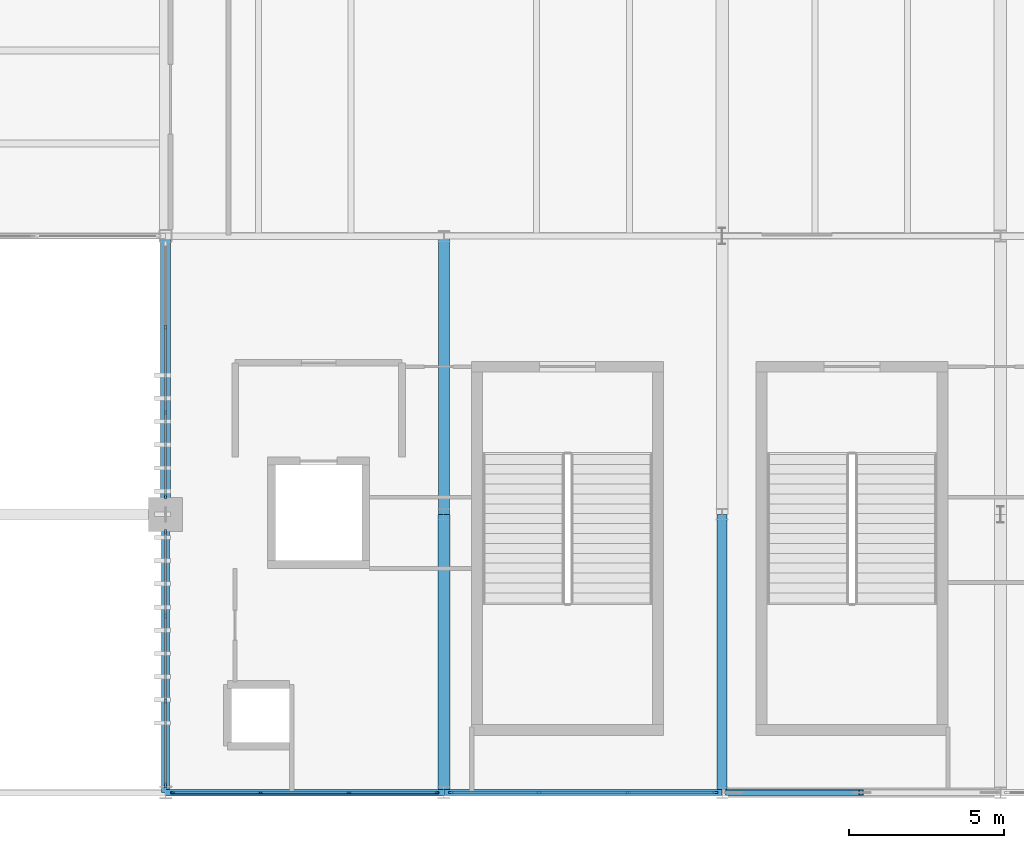
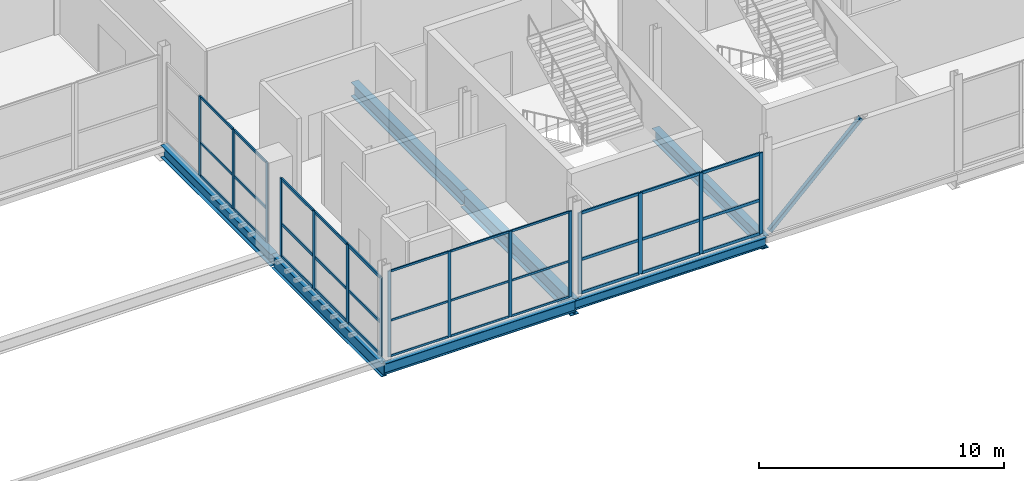
# One storey, part 126 of 224: 49 members, 7 beams, 4 elements without a shape of their own.
"""IFC4 building model written with IfcOpenShell, lengths in metres."""

from ifc_helpers import new_model, si_unit, direction, frame, origin, origin_2d, place, context, subcontext, project, spatial, rectangle, hollow_rectangle, i_section, extrude, material, layer, layer_set, material_profile, profile_set, type_object, element, aggregate, save


model = new_model("IFC4")

# Units and contexts
model_context = context("Model", 3, precision=1e-05, world=origin(), true_north=direction((0.0, 1.0)))
body_context = subcontext(model_context, "Body", "Model", "MODEL_VIEW")
ifc_project = project(units=[si_unit("LENGTHUNIT", "METRE"), si_unit("AREAUNIT", "SQUARE_METRE"), si_unit("VOLUMEUNIT", "CUBIC_METRE"), si_unit("PLANEANGLEUNIT", "RADIAN"), si_unit("MASSUNIT", "GRAM", prefix="KILO")], contexts=[model_context])

# Site, building, storey
site_placement = place(None, origin())
site = spatial("IfcSite", under=ifc_project, at=site_placement, CompositionType="ELEMENT")
building_placement = place(site_placement, origin())
building = spatial("IfcBuilding", under=site, at=building_placement, Name="Qamarlyn Nura Convention Centre", CompositionType="ELEMENT")
storey_placement = place(building_placement, frame((0.0, 0.0, 10.800048828125)))
storey = spatial("IfcBuildingStorey", under=building, at=storey_placement, Name="L02", CompositionType="ELEMENT", Elevation=10.800048828125)

# Beams
ifc_material_1 = material(Name="Steel ASTM A992", Category="steel")
ifc_material_profile_1 = material_profile(ifc_material_1, i_section(OverallWidth=0.323974609375, OverallDepth=0.611083984375, WebThickness=0.0126953125, FlangeThickness=0.01904296875, FilletRadius=0.01611328125, at=origin_2d()), Name="W610X155")
ifc_profile_set_1 = profile_set([ifc_material_profile_1], Name="Steel ASTM A992")
beam_type_1 = type_object("IfcBeamType", Name="BM-GIRD-610", PredefinedType="BEAM", material=ifc_profile_set_1)
for number, where, z_axis, x_axis, name in (
    (1, (153.0, 9.0, -0.525634765625), (0.0, 1.0, 0.0), (-1.0, 0.0, 0.0), "L02 girder 13 B-C"),
    (2, (171.0, 0.0, -0.525634765625), (0.0, 1.0, 0.0), (-1.0, 0.0, 0.0), "L02 girder 15 A-B"),
):
    element("IfcBeam", number, at=place(storey_placement, frame(where, z_axis=z_axis, x_axis=x_axis)), inside=storey, type_object=beam_type_1, Name=name, PredefinedType="BEAM", context=body_context, shape_type="SweptSolid", body=[
        extrude(i_section(OverallWidth=0.323974609375, OverallDepth=0.611083984375, WebThickness=0.0126953125, FlangeThickness=0.01904296875, FilletRadius=0.01611328125, at=origin_2d()), origin(), (0.0, 0.0, 1.0), 9.0),
    ])
ifc_material_profile_2 = material_profile(ifc_material_1, i_section(OverallWidth=0.35498046875, OverallDepth=0.695068359375, WebThickness=0.015380859375, FlangeThickness=0.02490234375, FilletRadius=0.01806640625, at=origin_2d()), Name="W690X217")
ifc_profile_set_2 = profile_set([ifc_material_profile_2], Name="Steel ASTM A992")
beam_type_2 = type_object("IfcBeamType", Name="BM-GIRD-690A", PredefinedType="BEAM", material=ifc_profile_set_2)
beam_1_placement = place(storey_placement, frame((162.0, 9.0, -0.567626953125), z_axis=(0.0, 1.0, 0.0), x_axis=(-1.0, 0.0, 0.0)))
element("IfcBeam", 3, at=beam_1_placement, inside=storey, type_object=beam_type_2, Name="L02 girder 14 B-C", PredefinedType="BEAM", context=body_context, shape_type="SweptSolid", body=[
    extrude(i_section(OverallWidth=0.35498046875, OverallDepth=0.695068359375, WebThickness=0.015380859375, FlangeThickness=0.02490234375, FilletRadius=0.01806640625, at=origin_2d()), origin(), (0.0, 0.0, 1.0), 9.0),
])
ifc_material_profile_3 = material_profile(ifc_material_1, i_section(OverallWidth=0.25390625, OverallDepth=0.68408203125, WebThickness=0.012451171875, FlangeThickness=0.01904296875, FilletRadius=0.01806640625, at=origin_2d()), Name="W690X140")
ifc_profile_set_3 = profile_set([ifc_material_profile_3], Name="Steel ASTM A992")
beam_type_3 = type_object("IfcBeamType", Name="BM-GIRD-690B", PredefinedType="BEAM", material=ifc_profile_set_3)
beam_2_placement = place(storey_placement, frame((153.0, 0.0, -0.56201171875), z_axis=(0.0, 1.0, 0.0), x_axis=(-1.0, 0.0, 0.0)))
element("IfcBeam", 4, at=beam_2_placement, inside=storey, type_object=beam_type_3, Name="L02 girder 13 A-B", PredefinedType="BEAM", context=body_context, shape_type="SweptSolid", body=[
    extrude(i_section(OverallWidth=0.25390625, OverallDepth=0.68408203125, WebThickness=0.012451171875, FlangeThickness=0.01904296875, FilletRadius=0.01806640625, at=origin_2d()), origin(), (0.0, 0.0, 1.0), 9.0),
])
ifc_material_profile_4 = material_profile(ifc_material_1, i_section(OverallWidth=0.381103515625, OverallDepth=0.77294921875, WebThickness=0.0166015625, FlangeThickness=0.027587890625, FilletRadius=0.02001953125, at=origin_2d()), Name="W760X257")
ifc_profile_set_4 = profile_set([ifc_material_profile_4], Name="Steel ASTM A992")
beam_type_4 = type_object("IfcBeamType", Name="BM-GIRD-760", PredefinedType="BEAM", material=ifc_profile_set_4)
beam_3_placement = place(storey_placement, frame((162.0, 0.0, -0.6064453125), z_axis=(0.0, 1.0, 0.0), x_axis=(-1.0, 0.0, 0.0)))
element("IfcBeam", 5, at=beam_3_placement, inside=storey, type_object=beam_type_4, Name="L02 girder 14 A-B", PredefinedType="BEAM", context=body_context, shape_type="SweptSolid", body=[
    extrude(i_section(OverallWidth=0.381103515625, OverallDepth=0.77294921875, WebThickness=0.0166015625, FlangeThickness=0.027587890625, FilletRadius=0.02001953125, at=origin_2d()), origin(), (0.0, 0.0, 1.0), 9.0),
])
ifc_material_profile_5 = material_profile(ifc_material_1, i_section(OverallWidth=0.193115234375, OverallDepth=0.466064453125, WebThickness=0.011474609375, FlangeThickness=0.01904296875, FilletRadius=0.012939453125, at=origin_2d()), Name="W460X97")
ifc_profile_set_5 = profile_set([ifc_material_profile_5], Name="Steel ASTM A992")
beam_type_5 = type_object("IfcBeamType", Name="BM-SPAN-460", PredefinedType="SPANDREL", material=ifc_profile_set_5)
beam_4_placement = place(storey_placement, frame((162.0, 0.0, -0.453125), z_axis=(1.0, 0.0, 0.0), x_axis=(0.0, 1.0, 0.0)))
element("IfcBeam", 6, at=beam_4_placement, inside=storey, type_object=beam_type_5, Name="L02 girder A 14-15", PredefinedType="SPANDREL", context=body_context, shape_type="SweptSolid", body=[
    extrude(i_section(OverallWidth=0.193115234375, OverallDepth=0.466064453125, WebThickness=0.011474609375, FlangeThickness=0.01904296875, FilletRadius=0.012939453125, at=origin_2d()), origin(), (0.0, 0.0, 1.0), 9.0),
])
ifc_material_profile_6 = material_profile(ifc_material_1, i_section(OverallWidth=0.2109375, OverallDepth=0.5390625, WebThickness=0.01171875, FlangeThickness=0.018798828125, FilletRadius=0.013916015625, at=origin_2d()), Name="W530X109")
ifc_profile_set_6 = profile_set([ifc_material_profile_6], Name="Steel ASTM A992")
beam_type_6 = type_object("IfcBeamType", Name="BM-SPAN-530", PredefinedType="SPANDREL", material=ifc_profile_set_6)
beam_5_placement = place(storey_placement, frame((153.0, 0.0, -0.489501953125), z_axis=(1.0, 0.0, 0.0), x_axis=(0.0, 1.0, 0.0)))
element("IfcBeam", 7, at=beam_5_placement, inside=storey, type_object=beam_type_6, Name="L02 girder A 13-14", PredefinedType="SPANDREL", context=body_context, shape_type="SweptSolid", body=[
    extrude(i_section(OverallWidth=0.2109375, OverallDepth=0.5390625, WebThickness=0.01171875, FlangeThickness=0.018798828125, FilletRadius=0.013916015625, at=origin_2d()), origin(), (0.0, 0.0, 1.0), 9.0),
])

# Member
ifc_material_2 = material(Name="Steel ASTM A500 Grade C", Category="steel")
ifc_material_profile_7 = material_profile(ifc_material_2, hollow_rectangle(XDim=0.199951171875, YDim=0.199951171875, WallThickness=0.010009765625, InnerFilletRadius=0.010009765625, OuterFilletRadius=0.02001953125, at=origin_2d()), Name="HSS200X200X10")
ifc_profile_set_7 = profile_set([ifc_material_profile_7], Name="Steel ASTM A500 Grade C")
member_type_1 = type_object("IfcMemberType", Name="CBF-BRC-200", PredefinedType="BRACE", material=ifc_profile_set_7)
member_1_placement = place(storey_placement, frame((171.179931640625, 0.0, 0.0), z_axis=(0.722491981311, 0.0, 0.691379300342), x_axis=(0.0, 1.0, 0.0)))
element("IfcMember", 8, at=member_1_placement, inside=storey, type_object=member_type_1, Name="L02 SCBF chevron brace CBF-E1L", PredefinedType="BRACE", context=body_context, shape_type="SweptSolid", body=[
    extrude(hollow_rectangle(XDim=0.199951171875, YDim=0.199951171875, WallThickness=0.010009765625, InnerFilletRadius=0.010009765625, OuterFilletRadius=0.02001953125, at=origin_2d()), origin(), (0.0, 0.0, 1.0), 5.9794921875),
])

# Curtain wall, members
ifc_material_3 = material(Name="Double-silver low-E insulated glass", Category="glass")
ifc_layer_1 = layer(ifc_material_3, 0.179931640625, Name="CW-UNIT-96")
ifc_layer_set_1 = layer_set([ifc_layer_1], Name="Double-silver low-E insulated glass")
curtain_wall_type_1 = type_object("IfcCurtainWallType", Name="CW-UNIT-96", PredefinedType="NOTDEFINED", material=ifc_layer_set_1)
curtain_wall_1_placement = place(storey_placement, origin())
curtain_wall_1 = element("IfcCurtainWall", 9, at=curtain_wall_1_placement, inside=storey, type_object=curtain_wall_type_1, Name="L02 unitised curtain wall STH-1-1", PredefinedType="NOTDEFINED")
ifc_material_4 = material(Name="Champagne-anodised marine aluminium", Category="aluminium")
ifc_material_profile_8 = material_profile(ifc_material_4, rectangle(XDim=0.06005859375, YDim=0.139892578125, at=origin_2d()), Name="ALU MULLION 60x140")
ifc_profile_set_8 = profile_set([ifc_material_profile_8], Name="Champagne-anodised marine aluminium")
member_type_2 = type_object("IfcMemberType", Name="CWM-140", PredefinedType="MULLION", material=ifc_profile_set_8)
member_2_placement = place(storey_placement, frame((161.7705078125, 0.0, 0.0), z_axis=(0.0, 0.0, 1.0), x_axis=(0.0, -1.0, 0.0)))
member_2 = element("IfcMember", 10, at=member_2_placement, type_object=member_type_2, Name="CW96 mullion 1", PredefinedType="MULLION", context=body_context, shape_type="SweptSolid", body=[
    extrude(rectangle(XDim=0.06005859375, YDim=0.139892578125, at=origin_2d()), origin(), (0.0, 0.0, 1.0), 4.284912109375),
])
member_3_placement = place(storey_placement, frame((158.93505859375, 0.0, 0.0), z_axis=(0.0, 0.0, 1.0), x_axis=(0.0, -1.0, 0.0)))
member_3 = element("IfcMember", 11, at=member_3_placement, type_object=member_type_2, Name="CW96 mullion 2", PredefinedType="MULLION", context=body_context, shape_type="SweptSolid", body=[
    extrude(rectangle(XDim=0.06005859375, YDim=0.139892578125, at=origin_2d()), origin(), (0.0, 0.0, 1.0), 4.284912109375),
])
member_4_placement = place(storey_placement, frame((156.06982421875, 0.0, 0.0), z_axis=(0.0, 0.0, 1.0), x_axis=(0.0, -1.0, 0.0)))
member_4 = element("IfcMember", 12, at=member_4_placement, type_object=member_type_2, Name="CW96 mullion 3", PredefinedType="MULLION", context=body_context, shape_type="SweptSolid", body=[
    extrude(rectangle(XDim=0.06005859375, YDim=0.139892578125, at=origin_2d()), origin(), (0.0, 0.0, 1.0), 4.284912109375),
])
member_5_placement = place(storey_placement, frame((153.234619140625, 0.0, 0.0), z_axis=(0.0, 0.0, 1.0), x_axis=(0.0, -1.0, 0.0)))
member_5 = element("IfcMember", 13, at=member_5_placement, type_object=member_type_2, Name="CW96 mullion 4", PredefinedType="MULLION", context=body_context, shape_type="SweptSolid", body=[
    extrude(rectangle(XDim=0.06005859375, YDim=0.139892578125, at=origin_2d()), origin(), (0.0, 0.0, 1.0), 4.284912109375),
])

ifc_layer_2 = layer(ifc_material_3, 0.179931640625, Name="CW-UNIT-101")
ifc_layer_set_2 = layer_set([ifc_layer_2], Name="Double-silver low-E insulated glass")
curtain_wall_type_2 = type_object("IfcCurtainWallType", Name="CW-UNIT-101", PredefinedType="NOTDEFINED", material=ifc_layer_set_2)
curtain_wall_2_placement = place(storey_placement, origin())
curtain_wall_2 = element("IfcCurtainWall", 14, at=curtain_wall_2_placement, inside=storey, type_object=curtain_wall_type_2, Name="L02 unitised curtain wall FCW-9-1", PredefinedType="NOTDEFINED")
ifc_material_profile_9 = material_profile(ifc_material_4, rectangle(XDim=0.06494140625, YDim=0.159912109375, at=origin_2d()), Name="ALU MULLION 65x160")
ifc_profile_set_9 = profile_set([ifc_material_profile_9], Name="Champagne-anodised marine aluminium")
member_type_3 = type_object("IfcMemberType", Name="CWM-160", PredefinedType="MULLION", material=ifc_profile_set_9)
member_6_placement = place(storey_placement, frame((153.0, 9.58251953125, 0.0), z_axis=(0.0, 0.0, 1.0), x_axis=(-1.0, 0.0, 0.0)))
member_6 = element("IfcMember", 15, at=member_6_placement, type_object=member_type_3, Name="CW101 mullion 1", PredefinedType="MULLION", context=body_context, shape_type="SweptSolid", body=[
    extrude(rectangle(XDim=0.06494140625, YDim=0.159912109375, at=origin_2d()), origin(), (0.0, 0.0, 1.0), 3.973876953125),
])
member_7_placement = place(storey_placement, frame((153.0, 12.300048828125, 0.0), z_axis=(0.0, 0.0, 1.0), x_axis=(-1.0, 0.0, 0.0)))
member_7 = element("IfcMember", 16, at=member_7_placement, type_object=member_type_3, Name="CW101 mullion 2", PredefinedType="MULLION", context=body_context, shape_type="SweptSolid", body=[
    extrude(rectangle(XDim=0.06494140625, YDim=0.159912109375, at=origin_2d()), origin(), (0.0, 0.0, 1.0), 3.973876953125),
])
member_8_placement = place(storey_placement, frame((153.0, 15.050048828125, 0.0), z_axis=(0.0, 0.0, 1.0), x_axis=(-1.0, 0.0, 0.0)))
member_8 = element("IfcMember", 17, at=member_8_placement, type_object=member_type_3, Name="CW101 mullion 3", PredefinedType="MULLION", context=body_context, shape_type="SweptSolid", body=[
    extrude(rectangle(XDim=0.06494140625, YDim=0.159912109375, at=origin_2d()), origin(), (0.0, 0.0, 1.0), 3.973876953125),
])

ifc_layer_3 = layer(ifc_material_3, 0.179931640625, Name="CW-UNIT-97")
ifc_layer_set_3 = layer_set([ifc_layer_3], Name="Double-silver low-E insulated glass")
curtain_wall_type_3 = type_object("IfcCurtainWallType", Name="CW-UNIT-97", PredefinedType="NOTDEFINED", material=ifc_layer_set_3)
curtain_wall_3_placement = place(storey_placement, origin())
curtain_wall_3 = element("IfcCurtainWall", 18, at=curtain_wall_3_placement, inside=storey, type_object=curtain_wall_type_3, Name="L02 unitised curtain wall STH-2-1", PredefinedType="NOTDEFINED")
ifc_material_profile_10 = material_profile(ifc_material_4, rectangle(XDim=0.070068359375, YDim=0.179931640625, at=origin_2d()), Name="ALU MULLION 70x180")
ifc_profile_set_10 = profile_set([ifc_material_profile_10], Name="Champagne-anodised marine aluminium")
member_type_4 = type_object("IfcMemberType", Name="CWM-180", PredefinedType="MULLION", material=ifc_profile_set_10)
member_9_placement = place(storey_placement, frame((170.778076171875, 0.0, 0.0), z_axis=(0.0, 0.0, 1.0), x_axis=(0.0, -1.0, 0.0)))
member_9 = element("IfcMember", 19, at=member_9_placement, type_object=member_type_4, Name="CW97 mullion 1", PredefinedType="MULLION", context=body_context, shape_type="SweptSolid", body=[
    extrude(rectangle(XDim=0.070068359375, YDim=0.179931640625, at=origin_2d()), origin(), (0.0, 0.0, 1.0), 4.0458984375),
])
member_10_placement = place(storey_placement, frame((167.94189453125, 0.0, 0.0), z_axis=(0.0, 0.0, 1.0), x_axis=(0.0, -1.0, 0.0)))
member_10 = element("IfcMember", 20, at=member_10_placement, type_object=member_type_4, Name="CW97 mullion 2", PredefinedType="MULLION", context=body_context, shape_type="SweptSolid", body=[
    extrude(rectangle(XDim=0.070068359375, YDim=0.179931640625, at=origin_2d()), origin(), (0.0, 0.0, 1.0), 4.0458984375),
])
member_11_placement = place(storey_placement, frame((165.070556640625, 0.0, 0.0), z_axis=(0.0, 0.0, 1.0), x_axis=(0.0, -1.0, 0.0)))
member_11 = element("IfcMember", 21, at=member_11_placement, type_object=member_type_4, Name="CW97 mullion 3", PredefinedType="MULLION", context=body_context, shape_type="SweptSolid", body=[
    extrude(rectangle(XDim=0.070068359375, YDim=0.179931640625, at=origin_2d()), origin(), (0.0, 0.0, 1.0), 4.0458984375),
])
member_12_placement = place(storey_placement, frame((162.234619140625, 0.0, 0.0), z_axis=(0.0, 0.0, 1.0), x_axis=(0.0, -1.0, 0.0)))
member_12 = element("IfcMember", 22, at=member_12_placement, type_object=member_type_4, Name="CW97 mullion 4", PredefinedType="MULLION", context=body_context, shape_type="SweptSolid", body=[
    extrude(rectangle(XDim=0.070068359375, YDim=0.179931640625, at=origin_2d()), origin(), (0.0, 0.0, 1.0), 4.0458984375),
])

ifc_layer_4 = layer(ifc_material_3, 0.179931640625, Name="CW-UNIT-100")
ifc_layer_set_4 = layer_set([ifc_layer_4], Name="Double-silver low-E insulated glass")
curtain_wall_type_4 = type_object("IfcCurtainWallType", Name="CW-UNIT-100", PredefinedType="NOTDEFINED", material=ifc_layer_set_4)
curtain_wall_4_placement = place(storey_placement, origin())
curtain_wall_4 = element("IfcCurtainWall", 23, at=curtain_wall_4_placement, inside=storey, type_object=curtain_wall_type_4, Name="L02 unitised curtain wall FCW-0-1", PredefinedType="NOTDEFINED")
member_13_placement = place(storey_placement, frame((153.0, 0.24755859375, 0.0), z_axis=(0.0, 0.0, 1.0), x_axis=(-1.0, 0.0, 0.0)))
member_13 = element("IfcMember", 24, at=member_13_placement, type_object=member_type_4, Name="CW100 mullion 1", PredefinedType="MULLION", context=body_context, shape_type="SweptSolid", body=[
    extrude(rectangle(XDim=0.070068359375, YDim=0.179931640625, at=origin_2d()), origin(), (0.0, 0.0, 1.0), 3.90087890625),
])
member_14_placement = place(storey_placement, frame((153.0, 2.958251953125, 0.0), z_axis=(0.0, 0.0, 1.0), x_axis=(-1.0, 0.0, 0.0)))
member_14 = element("IfcMember", 25, at=member_14_placement, type_object=member_type_4, Name="CW100 mullion 2", PredefinedType="MULLION", context=body_context, shape_type="SweptSolid", body=[
    extrude(rectangle(XDim=0.070068359375, YDim=0.179931640625, at=origin_2d()), origin(), (0.0, 0.0, 1.0), 3.90087890625),
])
member_15_placement = place(storey_placement, frame((153.0, 5.7041015625, 0.0), z_axis=(0.0, 0.0, 1.0), x_axis=(-1.0, 0.0, 0.0)))
member_15 = element("IfcMember", 26, at=member_15_placement, type_object=member_type_4, Name="CW100 mullion 3", PredefinedType="MULLION", context=body_context, shape_type="SweptSolid", body=[
    extrude(rectangle(XDim=0.070068359375, YDim=0.179931640625, at=origin_2d()), origin(), (0.0, 0.0, 1.0), 3.90087890625),
])
member_16_placement = place(storey_placement, frame((153.0, 8.4150390625, 0.0), z_axis=(0.0, 0.0, 1.0), x_axis=(-1.0, 0.0, 0.0)))
member_16 = element("IfcMember", 27, at=member_16_placement, type_object=member_type_4, Name="CW100 mullion 4", PredefinedType="MULLION", context=body_context, shape_type="SweptSolid", body=[
    extrude(rectangle(XDim=0.070068359375, YDim=0.179931640625, at=origin_2d()), origin(), (0.0, 0.0, 1.0), 3.90087890625),
])

# Member
ifc_material_profile_11 = material_profile(ifc_material_4, rectangle(XDim=0.06005859375, YDim=0.10009765625, at=origin_2d()), Name="ALU TRANSOM 60x100")
ifc_profile_set_11 = profile_set([ifc_material_profile_11], Name="Champagne-anodised marine aluminium")
member_type_5 = type_object("IfcMemberType", Name="CWT-100", PredefinedType="USERDEFINED", material=ifc_profile_set_11)
member_17_placement = place(storey_placement, frame((161.740478515625, 0.0, 0.030029296875), z_axis=(-1.0, 0.0, 0.0), x_axis=(0.0, -1.0, 0.0)))
member_17 = element("IfcMember", 28, at=member_17_placement, type_object=member_type_5, Name="CW96 transom 1.1", ObjectType="TRANSOM", PredefinedType="USERDEFINED", context=body_context, shape_type="SweptSolid", body=[
    extrude(rectangle(XDim=0.06005859375, YDim=0.10009765625, at=origin_2d()), origin(), (0.0, 0.0, 1.0), 2.775390625),
])

member_18_placement = place(storey_placement, frame((161.740478515625, 0.0, 1.800048828125), z_axis=(-1.0, 0.0, 0.0), x_axis=(0.0, -1.0, 0.0)))
member_18 = element("IfcMember", 29, at=member_18_placement, type_object=member_type_5, Name="CW96 transom 1.2", ObjectType="TRANSOM", PredefinedType="USERDEFINED", context=body_context, shape_type="SweptSolid", body=[
    extrude(rectangle(XDim=0.06005859375, YDim=0.10009765625, at=origin_2d()), origin(), (0.0, 0.0, 1.0), 2.775390625),
])

member_19_placement = place(storey_placement, frame((161.740478515625, 0.0, 4.2548828125), z_axis=(-1.0, 0.0, 0.0), x_axis=(0.0, -1.0, 0.0)))
member_19 = element("IfcMember", 30, at=member_19_placement, type_object=member_type_5, Name="CW96 transom 1.3", ObjectType="TRANSOM", PredefinedType="USERDEFINED", context=body_context, shape_type="SweptSolid", body=[
    extrude(rectangle(XDim=0.06005859375, YDim=0.10009765625, at=origin_2d()), origin(), (0.0, 0.0, 1.0), 2.775390625),
])

member_20_placement = place(storey_placement, frame((158.9052734375, 0.0, 0.030029296875), z_axis=(-1.0, 0.0, 0.0), x_axis=(0.0, -1.0, 0.0)))
member_20 = element("IfcMember", 31, at=member_20_placement, type_object=member_type_5, Name="CW96 transom 2.1", ObjectType="TRANSOM", PredefinedType="USERDEFINED", context=body_context, shape_type="SweptSolid", body=[
    extrude(rectangle(XDim=0.06005859375, YDim=0.10009765625, at=origin_2d()), origin(), (0.0, 0.0, 1.0), 2.805419921875),
])

member_21_placement = place(storey_placement, frame((158.9052734375, 0.0, 1.800048828125), z_axis=(-1.0, 0.0, 0.0), x_axis=(0.0, -1.0, 0.0)))
member_21 = element("IfcMember", 32, at=member_21_placement, type_object=member_type_5, Name="CW96 transom 2.2", ObjectType="TRANSOM", PredefinedType="USERDEFINED", context=body_context, shape_type="SweptSolid", body=[
    extrude(rectangle(XDim=0.06005859375, YDim=0.10009765625, at=origin_2d()), origin(), (0.0, 0.0, 1.0), 2.805419921875),
])

member_22_placement = place(storey_placement, frame((158.9052734375, 0.0, 4.2548828125), z_axis=(-1.0, 0.0, 0.0), x_axis=(0.0, -1.0, 0.0)))
member_22 = element("IfcMember", 33, at=member_22_placement, type_object=member_type_5, Name="CW96 transom 2.3", ObjectType="TRANSOM", PredefinedType="USERDEFINED", context=body_context, shape_type="SweptSolid", body=[
    extrude(rectangle(XDim=0.06005859375, YDim=0.10009765625, at=origin_2d()), origin(), (0.0, 0.0, 1.0), 2.805419921875),
])

member_23_placement = place(storey_placement, frame((156.039794921875, 0.0, 0.030029296875), z_axis=(-1.0, 0.0, 0.0), x_axis=(0.0, -1.0, 0.0)))
member_23 = element("IfcMember", 34, at=member_23_placement, type_object=member_type_5, Name="CW96 transom 3.1", ObjectType="TRANSOM", PredefinedType="USERDEFINED", context=body_context, shape_type="SweptSolid", body=[
    extrude(rectangle(XDim=0.06005859375, YDim=0.10009765625, at=origin_2d()), origin(), (0.0, 0.0, 1.0), 2.775390625),
])

member_24_placement = place(storey_placement, frame((156.039794921875, 0.0, 1.800048828125), z_axis=(-1.0, 0.0, 0.0), x_axis=(0.0, -1.0, 0.0)))
member_24 = element("IfcMember", 35, at=member_24_placement, type_object=member_type_5, Name="CW96 transom 3.2", ObjectType="TRANSOM", PredefinedType="USERDEFINED", context=body_context, shape_type="SweptSolid", body=[
    extrude(rectangle(XDim=0.06005859375, YDim=0.10009765625, at=origin_2d()), origin(), (0.0, 0.0, 1.0), 2.775390625),
])

member_25_placement = place(storey_placement, frame((156.039794921875, 0.0, 4.2548828125), z_axis=(-1.0, 0.0, 0.0), x_axis=(0.0, -1.0, 0.0)))
member_25 = element("IfcMember", 36, at=member_25_placement, type_object=member_type_5, Name="CW96 transom 3.3", ObjectType="TRANSOM", PredefinedType="USERDEFINED", context=body_context, shape_type="SweptSolid", body=[
    extrude(rectangle(XDim=0.06005859375, YDim=0.10009765625, at=origin_2d()), origin(), (0.0, 0.0, 1.0), 2.775390625),
])

aggregate(curtain_wall_1, [member_2, member_3, member_4, member_5, member_17, member_18, member_19, member_20, member_21, member_22, member_23, member_24, member_25])

ifc_material_profile_12 = material_profile(ifc_material_4, rectangle(XDim=0.06494140625, YDim=0.1201171875, at=origin_2d()), Name="ALU TRANSOM 65x120")
ifc_profile_set_12 = profile_set([ifc_material_profile_12], Name="Champagne-anodised marine aluminium")
member_type_6 = type_object("IfcMemberType", Name="CWT-120", PredefinedType="USERDEFINED", material=ifc_profile_set_12)
member_26_placement = place(storey_placement, frame((153.0, 9.614990234375, 0.032470703125), z_axis=(0.0, 1.0, 0.0), x_axis=(-1.0, 0.0, 0.0)))
member_26 = element("IfcMember", 37, at=member_26_placement, type_object=member_type_6, Name="CW101 transom 1.1", ObjectType="TRANSOM", PredefinedType="USERDEFINED", context=body_context, shape_type="SweptSolid", body=[
    extrude(rectangle(XDim=0.06494140625, YDim=0.1201171875, at=origin_2d()), origin(), (0.0, 0.0, 1.0), 2.652587890625),
])

member_27_placement = place(storey_placement, frame((153.0, 9.614990234375, 1.6689453125), z_axis=(0.0, 1.0, 0.0), x_axis=(-1.0, 0.0, 0.0)))
member_27 = element("IfcMember", 38, at=member_27_placement, type_object=member_type_6, Name="CW101 transom 1.2", ObjectType="TRANSOM", PredefinedType="USERDEFINED", context=body_context, shape_type="SweptSolid", body=[
    extrude(rectangle(XDim=0.06494140625, YDim=0.1201171875, at=origin_2d()), origin(), (0.0, 0.0, 1.0), 2.652587890625),
])

member_28_placement = place(storey_placement, frame((153.0, 9.614990234375, 3.94140625), z_axis=(0.0, 1.0, 0.0), x_axis=(-1.0, 0.0, 0.0)))
member_28 = element("IfcMember", 39, at=member_28_placement, type_object=member_type_6, Name="CW101 transom 1.3", ObjectType="TRANSOM", PredefinedType="USERDEFINED", context=body_context, shape_type="SweptSolid", body=[
    extrude(rectangle(XDim=0.06494140625, YDim=0.1201171875, at=origin_2d()), origin(), (0.0, 0.0, 1.0), 2.652587890625),
])

member_29_placement = place(storey_placement, frame((153.0, 12.33251953125, 0.032470703125), z_axis=(0.0, 1.0, 0.0), x_axis=(-1.0, 0.0, 0.0)))
member_29 = element("IfcMember", 40, at=member_29_placement, type_object=member_type_6, Name="CW101 transom 2.1", ObjectType="TRANSOM", PredefinedType="USERDEFINED", context=body_context, shape_type="SweptSolid", body=[
    extrude(rectangle(XDim=0.06494140625, YDim=0.1201171875, at=origin_2d()), origin(), (0.0, 0.0, 1.0), 2.68505859375),
])

member_30_placement = place(storey_placement, frame((153.0, 12.33251953125, 1.6689453125), z_axis=(0.0, 1.0, 0.0), x_axis=(-1.0, 0.0, 0.0)))
member_30 = element("IfcMember", 41, at=member_30_placement, type_object=member_type_6, Name="CW101 transom 2.2", ObjectType="TRANSOM", PredefinedType="USERDEFINED", context=body_context, shape_type="SweptSolid", body=[
    extrude(rectangle(XDim=0.06494140625, YDim=0.1201171875, at=origin_2d()), origin(), (0.0, 0.0, 1.0), 2.68505859375),
])

member_31_placement = place(storey_placement, frame((153.0, 12.33251953125, 3.94140625), z_axis=(0.0, 1.0, 0.0), x_axis=(-1.0, 0.0, 0.0)))
member_31 = element("IfcMember", 42, at=member_31_placement, type_object=member_type_6, Name="CW101 transom 2.3", ObjectType="TRANSOM", PredefinedType="USERDEFINED", context=body_context, shape_type="SweptSolid", body=[
    extrude(rectangle(XDim=0.06494140625, YDim=0.1201171875, at=origin_2d()), origin(), (0.0, 0.0, 1.0), 2.68505859375),
])

aggregate(curtain_wall_2, [member_6, member_7, member_8, member_26, member_27, member_28, member_29, member_30, member_31])

ifc_material_profile_13 = material_profile(ifc_material_4, rectangle(XDim=0.070068359375, YDim=0.139892578125, at=origin_2d()), Name="ALU TRANSOM 70x140")
ifc_profile_set_13 = profile_set([ifc_material_profile_13], Name="Champagne-anodised marine aluminium")
member_type_7 = type_object("IfcMemberType", Name="CWT-140", PredefinedType="USERDEFINED", material=ifc_profile_set_13)
member_32_placement = place(storey_placement, frame((170.742919921875, 0.0, 0.034912109375), z_axis=(-1.0, 0.0, 0.0), x_axis=(0.0, -1.0, 0.0)))
member_32 = element("IfcMember", 43, at=member_32_placement, type_object=member_type_7, Name="CW97 transom 1.1", ObjectType="TRANSOM", PredefinedType="USERDEFINED", context=body_context, shape_type="SweptSolid", body=[
    extrude(rectangle(XDim=0.070068359375, YDim=0.139892578125, at=origin_2d()), origin(), (0.0, 0.0, 1.0), 2.76611328125),
])

member_33_placement = place(storey_placement, frame((170.742919921875, 0.0, 1.698974609375), z_axis=(-1.0, 0.0, 0.0), x_axis=(0.0, -1.0, 0.0)))
member_33 = element("IfcMember", 44, at=member_33_placement, type_object=member_type_7, Name="CW97 transom 1.2", ObjectType="TRANSOM", PredefinedType="USERDEFINED", context=body_context, shape_type="SweptSolid", body=[
    extrude(rectangle(XDim=0.070068359375, YDim=0.139892578125, at=origin_2d()), origin(), (0.0, 0.0, 1.0), 2.76611328125),
])

member_34_placement = place(storey_placement, frame((170.742919921875, 0.0, 4.010986328125), z_axis=(-1.0, 0.0, 0.0), x_axis=(0.0, -1.0, 0.0)))
member_34 = element("IfcMember", 45, at=member_34_placement, type_object=member_type_7, Name="CW97 transom 1.3", ObjectType="TRANSOM", PredefinedType="USERDEFINED", context=body_context, shape_type="SweptSolid", body=[
    extrude(rectangle(XDim=0.070068359375, YDim=0.139892578125, at=origin_2d()), origin(), (0.0, 0.0, 1.0), 2.76611328125),
])

member_35_placement = place(storey_placement, frame((167.90673828125, 0.0, 0.034912109375), z_axis=(-1.0, 0.0, 0.0), x_axis=(0.0, -1.0, 0.0)))
member_35 = element("IfcMember", 46, at=member_35_placement, type_object=member_type_7, Name="CW97 transom 2.1", ObjectType="TRANSOM", PredefinedType="USERDEFINED", context=body_context, shape_type="SweptSolid", body=[
    extrude(rectangle(XDim=0.070068359375, YDim=0.139892578125, at=origin_2d()), origin(), (0.0, 0.0, 1.0), 2.801025390625),
])

member_36_placement = place(storey_placement, frame((167.90673828125, 0.0, 1.698974609375), z_axis=(-1.0, 0.0, 0.0), x_axis=(0.0, -1.0, 0.0)))
member_36 = element("IfcMember", 47, at=member_36_placement, type_object=member_type_7, Name="CW97 transom 2.2", ObjectType="TRANSOM", PredefinedType="USERDEFINED", context=body_context, shape_type="SweptSolid", body=[
    extrude(rectangle(XDim=0.070068359375, YDim=0.139892578125, at=origin_2d()), origin(), (0.0, 0.0, 1.0), 2.801025390625),
])

member_37_placement = place(storey_placement, frame((167.90673828125, 0.0, 4.010986328125), z_axis=(-1.0, 0.0, 0.0), x_axis=(0.0, -1.0, 0.0)))
member_37 = element("IfcMember", 48, at=member_37_placement, type_object=member_type_7, Name="CW97 transom 2.3", ObjectType="TRANSOM", PredefinedType="USERDEFINED", context=body_context, shape_type="SweptSolid", body=[
    extrude(rectangle(XDim=0.070068359375, YDim=0.139892578125, at=origin_2d()), origin(), (0.0, 0.0, 1.0), 2.801025390625),
])

member_38_placement = place(storey_placement, frame((165.03564453125, 0.0, 0.034912109375), z_axis=(-1.0, 0.0, 0.0), x_axis=(0.0, -1.0, 0.0)))
member_38 = element("IfcMember", 49, at=member_38_placement, type_object=member_type_7, Name="CW97 transom 3.1", ObjectType="TRANSOM", PredefinedType="USERDEFINED", context=body_context, shape_type="SweptSolid", body=[
    extrude(rectangle(XDim=0.070068359375, YDim=0.139892578125, at=origin_2d()), origin(), (0.0, 0.0, 1.0), 2.76611328125),
])

member_39_placement = place(storey_placement, frame((165.03564453125, 0.0, 1.698974609375), z_axis=(-1.0, 0.0, 0.0), x_axis=(0.0, -1.0, 0.0)))
member_39 = element("IfcMember", 50, at=member_39_placement, type_object=member_type_7, Name="CW97 transom 3.2", ObjectType="TRANSOM", PredefinedType="USERDEFINED", context=body_context, shape_type="SweptSolid", body=[
    extrude(rectangle(XDim=0.070068359375, YDim=0.139892578125, at=origin_2d()), origin(), (0.0, 0.0, 1.0), 2.76611328125),
])

member_40_placement = place(storey_placement, frame((165.03564453125, 0.0, 4.010986328125), z_axis=(-1.0, 0.0, 0.0), x_axis=(0.0, -1.0, 0.0)))
member_40 = element("IfcMember", 51, at=member_40_placement, type_object=member_type_7, Name="CW97 transom 3.3", ObjectType="TRANSOM", PredefinedType="USERDEFINED", context=body_context, shape_type="SweptSolid", body=[
    extrude(rectangle(XDim=0.070068359375, YDim=0.139892578125, at=origin_2d()), origin(), (0.0, 0.0, 1.0), 2.76611328125),
])

aggregate(curtain_wall_3, [member_9, member_10, member_11, member_12, member_32, member_33, member_34, member_35, member_36, member_37, member_38, member_39, member_40])

member_41_placement = place(storey_placement, frame((153.0, 0.282470703125, 0.034912109375), z_axis=(0.0, 1.0, 0.0), x_axis=(-1.0, 0.0, 0.0)))
member_41 = element("IfcMember", 52, at=member_41_placement, type_object=member_type_7, Name="CW100 transom 1.1", ObjectType="TRANSOM", PredefinedType="USERDEFINED", context=body_context, shape_type="SweptSolid", body=[
    extrude(rectangle(XDim=0.070068359375, YDim=0.139892578125, at=origin_2d()), origin(), (0.0, 0.0, 1.0), 2.640869140625),
])

member_42_placement = place(storey_placement, frame((153.0, 0.282470703125, 1.637939453125), z_axis=(0.0, 1.0, 0.0), x_axis=(-1.0, 0.0, 0.0)))
member_42 = element("IfcMember", 53, at=member_42_placement, type_object=member_type_7, Name="CW100 transom 1.2", ObjectType="TRANSOM", PredefinedType="USERDEFINED", context=body_context, shape_type="SweptSolid", body=[
    extrude(rectangle(XDim=0.070068359375, YDim=0.139892578125, at=origin_2d()), origin(), (0.0, 0.0, 1.0), 2.640869140625),
])

member_43_placement = place(storey_placement, frame((153.0, 0.282470703125, 3.865966796875), z_axis=(0.0, 1.0, 0.0), x_axis=(-1.0, 0.0, 0.0)))
member_43 = element("IfcMember", 54, at=member_43_placement, type_object=member_type_7, Name="CW100 transom 1.3", ObjectType="TRANSOM", PredefinedType="USERDEFINED", context=body_context, shape_type="SweptSolid", body=[
    extrude(rectangle(XDim=0.070068359375, YDim=0.139892578125, at=origin_2d()), origin(), (0.0, 0.0, 1.0), 2.640869140625),
])

member_44_placement = place(storey_placement, frame((153.0, 2.993408203125, 0.034912109375), z_axis=(0.0, 1.0, 0.0), x_axis=(-1.0, 0.0, 0.0)))
member_44 = element("IfcMember", 55, at=member_44_placement, type_object=member_type_7, Name="CW100 transom 2.1", ObjectType="TRANSOM", PredefinedType="USERDEFINED", context=body_context, shape_type="SweptSolid", body=[
    extrude(rectangle(XDim=0.070068359375, YDim=0.139892578125, at=origin_2d()), origin(), (0.0, 0.0, 1.0), 2.67578125),
])

member_45_placement = place(storey_placement, frame((153.0, 2.993408203125, 1.637939453125), z_axis=(0.0, 1.0, 0.0), x_axis=(-1.0, 0.0, 0.0)))
member_45 = element("IfcMember", 56, at=member_45_placement, type_object=member_type_7, Name="CW100 transom 2.2", ObjectType="TRANSOM", PredefinedType="USERDEFINED", context=body_context, shape_type="SweptSolid", body=[
    extrude(rectangle(XDim=0.070068359375, YDim=0.139892578125, at=origin_2d()), origin(), (0.0, 0.0, 1.0), 2.67578125),
])

member_46_placement = place(storey_placement, frame((153.0, 2.993408203125, 3.865966796875), z_axis=(0.0, 1.0, 0.0), x_axis=(-1.0, 0.0, 0.0)))
member_46 = element("IfcMember", 57, at=member_46_placement, type_object=member_type_7, Name="CW100 transom 2.3", ObjectType="TRANSOM", PredefinedType="USERDEFINED", context=body_context, shape_type="SweptSolid", body=[
    extrude(rectangle(XDim=0.070068359375, YDim=0.139892578125, at=origin_2d()), origin(), (0.0, 0.0, 1.0), 2.67578125),
])

member_47_placement = place(storey_placement, frame((153.0, 5.7392578125, 0.034912109375), z_axis=(0.0, 1.0, 0.0), x_axis=(-1.0, 0.0, 0.0)))
member_47 = element("IfcMember", 58, at=member_47_placement, type_object=member_type_7, Name="CW100 transom 3.1", ObjectType="TRANSOM", PredefinedType="USERDEFINED", context=body_context, shape_type="SweptSolid", body=[
    extrude(rectangle(XDim=0.070068359375, YDim=0.139892578125, at=origin_2d()), origin(), (0.0, 0.0, 1.0), 2.640625),
])

member_48_placement = place(storey_placement, frame((153.0, 5.7392578125, 1.637939453125), z_axis=(0.0, 1.0, 0.0), x_axis=(-1.0, 0.0, 0.0)))
member_48 = element("IfcMember", 59, at=member_48_placement, type_object=member_type_7, Name="CW100 transom 3.2", ObjectType="TRANSOM", PredefinedType="USERDEFINED", context=body_context, shape_type="SweptSolid", body=[
    extrude(rectangle(XDim=0.070068359375, YDim=0.139892578125, at=origin_2d()), origin(), (0.0, 0.0, 1.0), 2.640625),
])

member_49_placement = place(storey_placement, frame((153.0, 5.7392578125, 3.865966796875), z_axis=(0.0, 1.0, 0.0), x_axis=(-1.0, 0.0, 0.0)))
member_49 = element("IfcMember", 60, at=member_49_placement, type_object=member_type_7, Name="CW100 transom 3.3", ObjectType="TRANSOM", PredefinedType="USERDEFINED", context=body_context, shape_type="SweptSolid", body=[
    extrude(rectangle(XDim=0.070068359375, YDim=0.139892578125, at=origin_2d()), origin(), (0.0, 0.0, 1.0), 2.640625),
])

aggregate(curtain_wall_4, [member_13, member_14, member_15, member_16, member_41, member_42, member_43, member_44, member_45, member_46, member_47, member_48, member_49])

save(model, "model.ifc")
